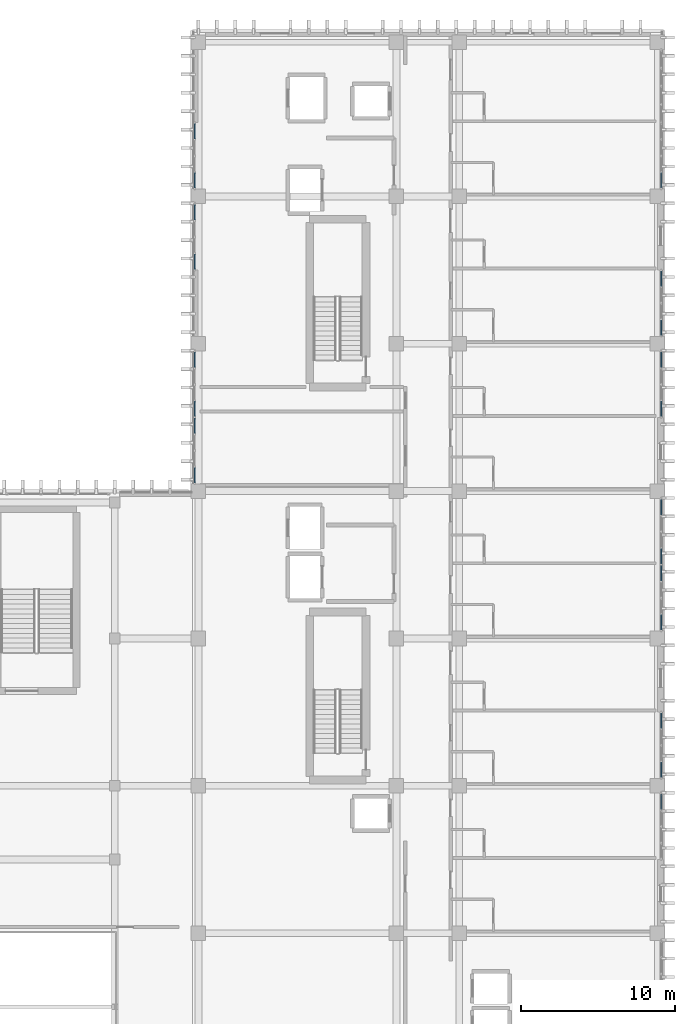
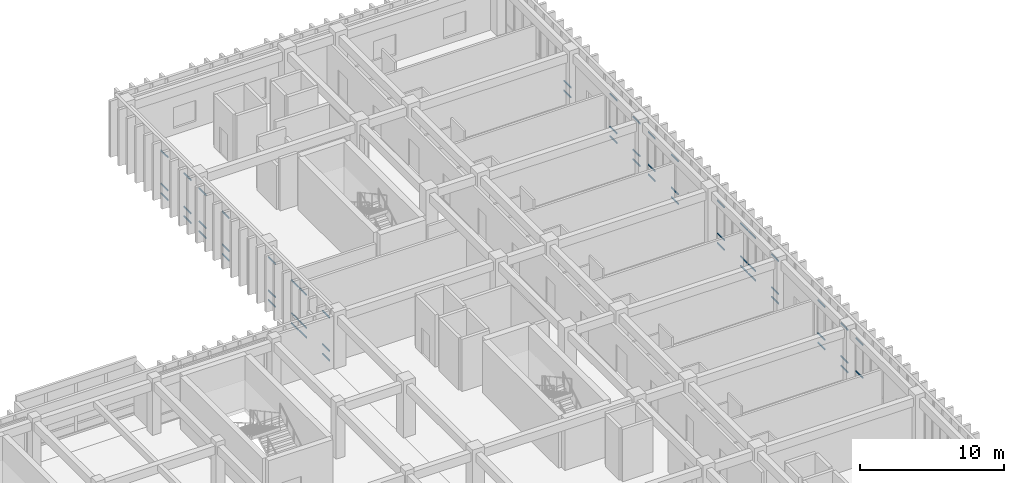
# One storey, part 86 of 133: 58 members, 11 elements without a shape of their own.
"""IFC4 building model written with IfcOpenShell, lengths in metres."""

from ifc_helpers import new_model, si_unit, direction, frame, origin, origin_2d, place, context, subcontext, project, spatial, hollow_rectangle, extrude, material, layer, layer_set, material_profile, profile_set, type_object, element, aggregate, save


model = new_model("IFC4")

# Units and contexts
model_context = context("Model", 3, precision=1e-05, world=origin(), true_north=direction((0.0, 1.0)))
body_context = subcontext(model_context, "Body", "Model", "MODEL_VIEW")
ifc_project = project(units=[si_unit("LENGTHUNIT", "METRE"), si_unit("AREAUNIT", "SQUARE_METRE"), si_unit("VOLUMEUNIT", "CUBIC_METRE"), si_unit("PLANEANGLEUNIT", "RADIAN"), si_unit("MASSUNIT", "GRAM", prefix="KILO")], contexts=[model_context])

# Site, building, storey
site_placement = place(None, origin())
site = spatial("IfcSite", under=ifc_project, at=site_placement, CompositionType="ELEMENT")
building_placement = place(site_placement, origin())
building = spatial("IfcBuilding", under=site, at=building_placement, Name="Nakhvara Creek Congress Hotel", CompositionType="ELEMENT")
storey_placement = place(building_placement, frame((0.0, 0.0, 11.39990234375)))
storey = spatial("IfcBuildingStorey", under=building, at=storey_placement, Name="L02", CompositionType="ELEMENT", Elevation=11.39990234375)

# Curtain wall, members
ifc_material_1 = material(Name="Bronze-anodised aluminium AW-6063-T6 and double-silver low-E glass", Category="aluminium")
ifc_layer = layer(ifc_material_1, 0.199951171875)
ifc_layer_set = layer_set([ifc_layer], Name="Bronze-anodised aluminium AW-6063-T6 and double-silver low-E glass")
curtain_wall_type = type_object("IfcCurtainWallType", Name="CW-HTL-UNIT", PredefinedType="USERDEFINED", material=ifc_layer_set)
curtain_wall_1_placement = place(storey_placement, origin())
curtain_wall_1 = element("IfcCurtainWall", 1, at=curtain_wall_1_placement, inside=storey, type_object=curtain_wall_type, Name="Curtain Wall CW138", ObjectType="UNITISED", PredefinedType="USERDEFINED")
ifc_material_2 = material(Name="Bronze-anodised aluminium AW-6063-T6", Category="aluminium")
ifc_material_profile = material_profile(ifc_material_2, hollow_rectangle(XDim=0.06494140625, YDim=0.1201171875, WallThickness=0.00390625, at=origin_2d()), Name="ALU-TRAN 65x120x4", Category="LoadBearing")
ifc_profile_set = profile_set([ifc_material_profile], Name="Bronze-anodised aluminium AW-6063-T6")
member_type = type_object("IfcMemberType", Name="CW-TRAN-120", PredefinedType="USERDEFINED", material=ifc_profile_set)
member_1_placement = place(storey_placement, frame((179.60009765625, 76.2451171875, 0.85009765625), z_axis=(0.0, -1.0, 0.0), x_axis=(1.0, 0.0, 0.0)))
member_1 = element("IfcMember", 2, at=member_1_placement, type_object=member_type, Name="CW138 transom 1.2", ObjectType="TRANSOM", PredefinedType="USERDEFINED", context=body_context, shape_type="SweptSolid", body=[
    extrude(hollow_rectangle(XDim=0.06494140625, YDim=0.1201171875, WallThickness=0.00390625, at=origin_2d()), origin(), (0.0, 0.0, 1.0), 0.980224609375),
])
member_2_placement = place(storey_placement, frame((179.60009765625, 76.2451171875, 3.629638671875), z_axis=(0.0, -1.0, 0.0), x_axis=(1.0, 0.0, 0.0)))
member_2 = element("IfcMember", 3, at=member_2_placement, type_object=member_type, Name="CW138 transom 1.3", ObjectType="TRANSOM", PredefinedType="USERDEFINED", context=body_context, shape_type="SweptSolid", body=[
    extrude(hollow_rectangle(XDim=0.06494140625, YDim=0.1201171875, WallThickness=0.00390625, at=origin_2d()), origin(), (0.0, 0.0, 1.0), 0.980224609375),
])
aggregate(curtain_wall_1, [member_1, member_2])

curtain_wall_2_placement = place(storey_placement, origin())
curtain_wall_2 = element("IfcCurtainWall", 4, at=curtain_wall_2_placement, inside=storey, type_object=curtain_wall_type, Name="Curtain Wall CW139", ObjectType="UNITISED", PredefinedType="USERDEFINED")
member_3_placement = place(storey_placement, frame((179.60009765625, 81.534912109375, 0.03271484375), z_axis=(0.0, -1.0, 0.0), x_axis=(1.0, 0.0, 0.0)))
member_3 = element("IfcMember", 5, at=member_3_placement, type_object=member_type, Name="CW139 transom 1.1", ObjectType="TRANSOM", PredefinedType="USERDEFINED", context=body_context, shape_type="SweptSolid", body=[
    extrude(hollow_rectangle(XDim=0.06494140625, YDim=0.1201171875, WallThickness=0.00390625, at=origin_2d()), origin(), (0.0, 0.0, 1.0), 0.97998046875),
])
member_4_placement = place(storey_placement, frame((179.60009765625, 81.534912109375, 0.85009765625), z_axis=(0.0, -1.0, 0.0), x_axis=(1.0, 0.0, 0.0)))
member_4 = element("IfcMember", 6, at=member_4_placement, type_object=member_type, Name="CW139 transom 1.2", ObjectType="TRANSOM", PredefinedType="USERDEFINED", context=body_context, shape_type="SweptSolid", body=[
    extrude(hollow_rectangle(XDim=0.06494140625, YDim=0.1201171875, WallThickness=0.00390625, at=origin_2d()), origin(), (0.0, 0.0, 1.0), 0.97998046875),
])
member_5_placement = place(storey_placement, frame((179.60009765625, 81.534912109375, 3.629638671875), z_axis=(0.0, -1.0, 0.0), x_axis=(1.0, 0.0, 0.0)))
member_5 = element("IfcMember", 7, at=member_5_placement, type_object=member_type, Name="CW139 transom 1.3", ObjectType="TRANSOM", PredefinedType="USERDEFINED", context=body_context, shape_type="SweptSolid", body=[
    extrude(hollow_rectangle(XDim=0.06494140625, YDim=0.1201171875, WallThickness=0.00390625, at=origin_2d()), origin(), (0.0, 0.0, 1.0), 0.97998046875),
])
member_6_placement = place(storey_placement, frame((179.60009765625, 78.3349609375, 0.03271484375), z_axis=(0.0, -1.0, 0.0), x_axis=(1.0, 0.0, 0.0)))
member_6 = element("IfcMember", 8, at=member_6_placement, type_object=member_type, Name="CW139 transom 4.1", ObjectType="TRANSOM", PredefinedType="USERDEFINED", context=body_context, shape_type="SweptSolid", body=[
    extrude(hollow_rectangle(XDim=0.06494140625, YDim=0.1201171875, WallThickness=0.00390625, at=origin_2d()), origin(), (0.0, 0.0, 1.0), 0.97998046875),
])
member_7_placement = place(storey_placement, frame((179.60009765625, 78.3349609375, 0.85009765625), z_axis=(0.0, -1.0, 0.0), x_axis=(1.0, 0.0, 0.0)))
member_7 = element("IfcMember", 9, at=member_7_placement, type_object=member_type, Name="CW139 transom 4.2", ObjectType="TRANSOM", PredefinedType="USERDEFINED", context=body_context, shape_type="SweptSolid", body=[
    extrude(hollow_rectangle(XDim=0.06494140625, YDim=0.1201171875, WallThickness=0.00390625, at=origin_2d()), origin(), (0.0, 0.0, 1.0), 0.97998046875),
])
member_8_placement = place(storey_placement, frame((179.60009765625, 78.3349609375, 3.629638671875), z_axis=(0.0, -1.0, 0.0), x_axis=(1.0, 0.0, 0.0)))
member_8 = element("IfcMember", 10, at=member_8_placement, type_object=member_type, Name="CW139 transom 4.3", ObjectType="TRANSOM", PredefinedType="USERDEFINED", context=body_context, shape_type="SweptSolid", body=[
    extrude(hollow_rectangle(XDim=0.06494140625, YDim=0.1201171875, WallThickness=0.00390625, at=origin_2d()), origin(), (0.0, 0.0, 1.0), 0.97998046875),
])
aggregate(curtain_wall_2, [member_3, member_4, member_5, member_6, member_7, member_8])

curtain_wall_3_placement = place(storey_placement, origin())
curtain_wall_3 = element("IfcCurtainWall", 11, at=curtain_wall_3_placement, inside=storey, type_object=curtain_wall_type, Name="Curtain Wall CW140", ObjectType="UNITISED", PredefinedType="USERDEFINED")
member_9_placement = place(storey_placement, frame((179.60009765625, 91.135009765625, 0.03271484375), z_axis=(0.0, -1.0, 0.0), x_axis=(1.0, 0.0, 0.0)))
member_9 = element("IfcMember", 12, at=member_9_placement, type_object=member_type, Name="CW140 transom 1.1", ObjectType="TRANSOM", PredefinedType="USERDEFINED", context=body_context, shape_type="SweptSolid", body=[
    extrude(hollow_rectangle(XDim=0.06494140625, YDim=0.1201171875, WallThickness=0.00390625, at=origin_2d()), origin(), (0.0, 0.0, 1.0), 0.97998046875),
])
member_10_placement = place(storey_placement, frame((179.60009765625, 91.135009765625, 0.85009765625), z_axis=(0.0, -1.0, 0.0), x_axis=(1.0, 0.0, 0.0)))
member_10 = element("IfcMember", 13, at=member_10_placement, type_object=member_type, Name="CW140 transom 1.2", ObjectType="TRANSOM", PredefinedType="USERDEFINED", context=body_context, shape_type="SweptSolid", body=[
    extrude(hollow_rectangle(XDim=0.06494140625, YDim=0.1201171875, WallThickness=0.00390625, at=origin_2d()), origin(), (0.0, 0.0, 1.0), 0.97998046875),
])
member_11_placement = place(storey_placement, frame((179.60009765625, 91.135009765625, 3.629638671875), z_axis=(0.0, -1.0, 0.0), x_axis=(1.0, 0.0, 0.0)))
member_11 = element("IfcMember", 14, at=member_11_placement, type_object=member_type, Name="CW140 transom 1.3", ObjectType="TRANSOM", PredefinedType="USERDEFINED", context=body_context, shape_type="SweptSolid", body=[
    extrude(hollow_rectangle(XDim=0.06494140625, YDim=0.1201171875, WallThickness=0.00390625, at=origin_2d()), origin(), (0.0, 0.0, 1.0), 0.97998046875),
])
member_12_placement = place(storey_placement, frame((179.60009765625, 87.93505859375, 0.03271484375), z_axis=(0.0, -1.0, 0.0), x_axis=(1.0, 0.0, 0.0)))
member_12 = element("IfcMember", 15, at=member_12_placement, type_object=member_type, Name="CW140 transom 4.1", ObjectType="TRANSOM", PredefinedType="USERDEFINED", context=body_context, shape_type="SweptSolid", body=[
    extrude(hollow_rectangle(XDim=0.06494140625, YDim=0.1201171875, WallThickness=0.00390625, at=origin_2d()), origin(), (0.0, 0.0, 1.0), 0.97998046875),
])
member_13_placement = place(storey_placement, frame((179.60009765625, 87.93505859375, 0.85009765625), z_axis=(0.0, -1.0, 0.0), x_axis=(1.0, 0.0, 0.0)))
member_13 = element("IfcMember", 16, at=member_13_placement, type_object=member_type, Name="CW140 transom 4.2", ObjectType="TRANSOM", PredefinedType="USERDEFINED", context=body_context, shape_type="SweptSolid", body=[
    extrude(hollow_rectangle(XDim=0.06494140625, YDim=0.1201171875, WallThickness=0.00390625, at=origin_2d()), origin(), (0.0, 0.0, 1.0), 0.97998046875),
])
member_14_placement = place(storey_placement, frame((179.60009765625, 87.93505859375, 3.629638671875), z_axis=(0.0, -1.0, 0.0), x_axis=(1.0, 0.0, 0.0)))
member_14 = element("IfcMember", 17, at=member_14_placement, type_object=member_type, Name="CW140 transom 4.3", ObjectType="TRANSOM", PredefinedType="USERDEFINED", context=body_context, shape_type="SweptSolid", body=[
    extrude(hollow_rectangle(XDim=0.06494140625, YDim=0.1201171875, WallThickness=0.00390625, at=origin_2d()), origin(), (0.0, 0.0, 1.0), 0.97998046875),
])
aggregate(curtain_wall_3, [member_9, member_10, member_11, member_12, member_13, member_14])

curtain_wall_4_placement = place(storey_placement, origin())
curtain_wall_4 = element("IfcCurtainWall", 18, at=curtain_wall_4_placement, inside=storey, type_object=curtain_wall_type, Name="Curtain Wall CW141", ObjectType="UNITISED", PredefinedType="USERDEFINED")
member_15_placement = place(storey_placement, frame((179.60009765625, 95.445068359375, 0.03271484375), z_axis=(0.0, -1.0, 0.0), x_axis=(1.0, 0.0, 0.0)))
member_15 = element("IfcMember", 19, at=member_15_placement, type_object=member_type, Name="CW141 transom 1.1", ObjectType="TRANSOM", PredefinedType="USERDEFINED", context=body_context, shape_type="SweptSolid", body=[
    extrude(hollow_rectangle(XDim=0.06494140625, YDim=0.1201171875, WallThickness=0.00390625, at=origin_2d()), origin(), (0.0, 0.0, 1.0), 0.97998046875),
])
member_16_placement = place(storey_placement, frame((179.60009765625, 95.445068359375, 0.85009765625), z_axis=(0.0, -1.0, 0.0), x_axis=(1.0, 0.0, 0.0)))
member_16 = element("IfcMember", 20, at=member_16_placement, type_object=member_type, Name="CW141 transom 1.2", ObjectType="TRANSOM", PredefinedType="USERDEFINED", context=body_context, shape_type="SweptSolid", body=[
    extrude(hollow_rectangle(XDim=0.06494140625, YDim=0.1201171875, WallThickness=0.00390625, at=origin_2d()), origin(), (0.0, 0.0, 1.0), 0.97998046875),
])
member_17_placement = place(storey_placement, frame((179.60009765625, 95.445068359375, 3.629638671875), z_axis=(0.0, -1.0, 0.0), x_axis=(1.0, 0.0, 0.0)))
member_17 = element("IfcMember", 21, at=member_17_placement, type_object=member_type, Name="CW141 transom 1.3", ObjectType="TRANSOM", PredefinedType="USERDEFINED", context=body_context, shape_type="SweptSolid", body=[
    extrude(hollow_rectangle(XDim=0.06494140625, YDim=0.1201171875, WallThickness=0.00390625, at=origin_2d()), origin(), (0.0, 0.0, 1.0), 0.97998046875),
])
member_18_placement = place(storey_placement, frame((179.60009765625, 92.2451171875, 0.03271484375), z_axis=(0.0, -1.0, 0.0), x_axis=(1.0, 0.0, 0.0)))
member_18 = element("IfcMember", 22, at=member_18_placement, type_object=member_type, Name="CW141 transom 4.1", ObjectType="TRANSOM", PredefinedType="USERDEFINED", context=body_context, shape_type="SweptSolid", body=[
    extrude(hollow_rectangle(XDim=0.06494140625, YDim=0.1201171875, WallThickness=0.00390625, at=origin_2d()), origin(), (0.0, 0.0, 1.0), 0.980224609375),
])
member_19_placement = place(storey_placement, frame((179.60009765625, 92.2451171875, 0.85009765625), z_axis=(0.0, -1.0, 0.0), x_axis=(1.0, 0.0, 0.0)))
member_19 = element("IfcMember", 23, at=member_19_placement, type_object=member_type, Name="CW141 transom 4.2", ObjectType="TRANSOM", PredefinedType="USERDEFINED", context=body_context, shape_type="SweptSolid", body=[
    extrude(hollow_rectangle(XDim=0.06494140625, YDim=0.1201171875, WallThickness=0.00390625, at=origin_2d()), origin(), (0.0, 0.0, 1.0), 0.980224609375),
])
member_20_placement = place(storey_placement, frame((179.60009765625, 92.2451171875, 3.629638671875), z_axis=(0.0, -1.0, 0.0), x_axis=(1.0, 0.0, 0.0)))
member_20 = element("IfcMember", 24, at=member_20_placement, type_object=member_type, Name="CW141 transom 4.3", ObjectType="TRANSOM", PredefinedType="USERDEFINED", context=body_context, shape_type="SweptSolid", body=[
    extrude(hollow_rectangle(XDim=0.06494140625, YDim=0.1201171875, WallThickness=0.00390625, at=origin_2d()), origin(), (0.0, 0.0, 1.0), 0.980224609375),
])
aggregate(curtain_wall_4, [member_15, member_16, member_17, member_18, member_19, member_20])

curtain_wall_5_placement = place(storey_placement, origin())
curtain_wall_5 = element("IfcCurtainWall", 25, at=curtain_wall_5_placement, inside=storey, type_object=curtain_wall_type, Name="Curtain Wall CW142", ObjectType="UNITISED", PredefinedType="USERDEFINED")
member_21_placement = place(storey_placement, frame((149.199951171875, 96.554931640625, 0.03271484375), z_axis=(0.0, 1.0, 0.0), x_axis=(-1.0, 0.0, 0.0)))
member_21 = element("IfcMember", 26, at=member_21_placement, type_object=member_type, Name="CW142 transom 1.1", ObjectType="TRANSOM", PredefinedType="USERDEFINED", context=body_context, shape_type="SweptSolid", body=[
    extrude(hollow_rectangle(XDim=0.06494140625, YDim=0.1201171875, WallThickness=0.00390625, at=origin_2d()), origin(), (0.0, 0.0, 1.0), 0.97998046875),
])
member_22_placement = place(storey_placement, frame((149.199951171875, 96.554931640625, 0.85009765625), z_axis=(0.0, 1.0, 0.0), x_axis=(-1.0, 0.0, 0.0)))
member_22 = element("IfcMember", 27, at=member_22_placement, type_object=member_type, Name="CW142 transom 1.2", ObjectType="TRANSOM", PredefinedType="USERDEFINED", context=body_context, shape_type="SweptSolid", body=[
    extrude(hollow_rectangle(XDim=0.06494140625, YDim=0.1201171875, WallThickness=0.00390625, at=origin_2d()), origin(), (0.0, 0.0, 1.0), 0.97998046875),
])
member_23_placement = place(storey_placement, frame((149.199951171875, 96.554931640625, 3.65966796875), z_axis=(0.0, 1.0, 0.0), x_axis=(-1.0, 0.0, 0.0)))
member_23 = element("IfcMember", 28, at=member_23_placement, type_object=member_type, Name="CW142 transom 1.3", ObjectType="TRANSOM", PredefinedType="USERDEFINED", context=body_context, shape_type="SweptSolid", body=[
    extrude(hollow_rectangle(XDim=0.06494140625, YDim=0.1201171875, WallThickness=0.00390625, at=origin_2d()), origin(), (0.0, 0.0, 1.0), 0.97998046875),
])
member_24_placement = place(storey_placement, frame((149.199951171875, 99.7548828125, 0.03271484375), z_axis=(0.0, 1.0, 0.0), x_axis=(-1.0, 0.0, 0.0)))
member_24 = element("IfcMember", 29, at=member_24_placement, type_object=member_type, Name="CW142 transom 4.1", ObjectType="TRANSOM", PredefinedType="USERDEFINED", context=body_context, shape_type="SweptSolid", body=[
    extrude(hollow_rectangle(XDim=0.06494140625, YDim=0.1201171875, WallThickness=0.00390625, at=origin_2d()), origin(), (0.0, 0.0, 1.0), 0.980224609375),
])
member_25_placement = place(storey_placement, frame((149.199951171875, 99.7548828125, 0.85009765625), z_axis=(0.0, 1.0, 0.0), x_axis=(-1.0, 0.0, 0.0)))
member_25 = element("IfcMember", 30, at=member_25_placement, type_object=member_type, Name="CW142 transom 4.2", ObjectType="TRANSOM", PredefinedType="USERDEFINED", context=body_context, shape_type="SweptSolid", body=[
    extrude(hollow_rectangle(XDim=0.06494140625, YDim=0.1201171875, WallThickness=0.00390625, at=origin_2d()), origin(), (0.0, 0.0, 1.0), 0.980224609375),
])
member_26_placement = place(storey_placement, frame((149.199951171875, 99.7548828125, 3.65966796875), z_axis=(0.0, 1.0, 0.0), x_axis=(-1.0, 0.0, 0.0)))
member_26 = element("IfcMember", 31, at=member_26_placement, type_object=member_type, Name="CW142 transom 4.3", ObjectType="TRANSOM", PredefinedType="USERDEFINED", context=body_context, shape_type="SweptSolid", body=[
    extrude(hollow_rectangle(XDim=0.06494140625, YDim=0.1201171875, WallThickness=0.00390625, at=origin_2d()), origin(), (0.0, 0.0, 1.0), 0.980224609375),
])
aggregate(curtain_wall_5, [member_21, member_22, member_23, member_24, member_25, member_26])

curtain_wall_6_placement = place(storey_placement, origin())
curtain_wall_6 = element("IfcCurtainWall", 32, at=curtain_wall_6_placement, inside=storey, type_object=curtain_wall_type, Name="Curtain Wall CW143", ObjectType="UNITISED", PredefinedType="USERDEFINED")
member_27_placement = place(storey_placement, frame((179.60009765625, 105.044921875, 0.03271484375), z_axis=(0.0, -1.0, 0.0), x_axis=(1.0, 0.0, 0.0)))
member_27 = element("IfcMember", 33, at=member_27_placement, type_object=member_type, Name="CW143 transom 1.1", ObjectType="TRANSOM", PredefinedType="USERDEFINED", context=body_context, shape_type="SweptSolid", body=[
    extrude(hollow_rectangle(XDim=0.06494140625, YDim=0.1201171875, WallThickness=0.00390625, at=origin_2d()), origin(), (0.0, 0.0, 1.0), 0.97998046875),
])
member_28_placement = place(storey_placement, frame((179.60009765625, 105.044921875, 0.85009765625), z_axis=(0.0, -1.0, 0.0), x_axis=(1.0, 0.0, 0.0)))
member_28 = element("IfcMember", 34, at=member_28_placement, type_object=member_type, Name="CW143 transom 1.2", ObjectType="TRANSOM", PredefinedType="USERDEFINED", context=body_context, shape_type="SweptSolid", body=[
    extrude(hollow_rectangle(XDim=0.06494140625, YDim=0.1201171875, WallThickness=0.00390625, at=origin_2d()), origin(), (0.0, 0.0, 1.0), 0.97998046875),
])
member_29_placement = place(storey_placement, frame((179.60009765625, 105.044921875, 3.629638671875), z_axis=(0.0, -1.0, 0.0), x_axis=(1.0, 0.0, 0.0)))
member_29 = element("IfcMember", 35, at=member_29_placement, type_object=member_type, Name="CW143 transom 1.3", ObjectType="TRANSOM", PredefinedType="USERDEFINED", context=body_context, shape_type="SweptSolid", body=[
    extrude(hollow_rectangle(XDim=0.06494140625, YDim=0.1201171875, WallThickness=0.00390625, at=origin_2d()), origin(), (0.0, 0.0, 1.0), 0.97998046875),
])
member_30_placement = place(storey_placement, frame((179.60009765625, 101.844970703125, 0.03271484375), z_axis=(0.0, -1.0, 0.0), x_axis=(1.0, 0.0, 0.0)))
member_30 = element("IfcMember", 36, at=member_30_placement, type_object=member_type, Name="CW143 transom 4.1", ObjectType="TRANSOM", PredefinedType="USERDEFINED", context=body_context, shape_type="SweptSolid", body=[
    extrude(hollow_rectangle(XDim=0.06494140625, YDim=0.1201171875, WallThickness=0.00390625, at=origin_2d()), origin(), (0.0, 0.0, 1.0), 0.97998046875),
])
member_31_placement = place(storey_placement, frame((179.60009765625, 101.844970703125, 0.85009765625), z_axis=(0.0, -1.0, 0.0), x_axis=(1.0, 0.0, 0.0)))
member_31 = element("IfcMember", 37, at=member_31_placement, type_object=member_type, Name="CW143 transom 4.2", ObjectType="TRANSOM", PredefinedType="USERDEFINED", context=body_context, shape_type="SweptSolid", body=[
    extrude(hollow_rectangle(XDim=0.06494140625, YDim=0.1201171875, WallThickness=0.00390625, at=origin_2d()), origin(), (0.0, 0.0, 1.0), 0.97998046875),
])
member_32_placement = place(storey_placement, frame((179.60009765625, 101.844970703125, 3.629638671875), z_axis=(0.0, -1.0, 0.0), x_axis=(1.0, 0.0, 0.0)))
member_32 = element("IfcMember", 38, at=member_32_placement, type_object=member_type, Name="CW143 transom 4.3", ObjectType="TRANSOM", PredefinedType="USERDEFINED", context=body_context, shape_type="SweptSolid", body=[
    extrude(hollow_rectangle(XDim=0.06494140625, YDim=0.1201171875, WallThickness=0.00390625, at=origin_2d()), origin(), (0.0, 0.0, 1.0), 0.97998046875),
])
aggregate(curtain_wall_6, [member_27, member_28, member_29, member_30, member_31, member_32])

curtain_wall_7_placement = place(storey_placement, origin())
curtain_wall_7 = element("IfcCurtainWall", 39, at=curtain_wall_7_placement, inside=storey, type_object=curtain_wall_type, Name="Curtain Wall CW144", ObjectType="UNITISED", PredefinedType="USERDEFINED")
member_33_placement = place(storey_placement, frame((149.199951171875, 100.864990234375, 0.03271484375), z_axis=(0.0, 1.0, 0.0), x_axis=(-1.0, 0.0, 0.0)))
member_33 = element("IfcMember", 40, at=member_33_placement, type_object=member_type, Name="CW144 transom 1.1", ObjectType="TRANSOM", PredefinedType="USERDEFINED", context=body_context, shape_type="SweptSolid", body=[
    extrude(hollow_rectangle(XDim=0.06494140625, YDim=0.1201171875, WallThickness=0.00390625, at=origin_2d()), origin(), (0.0, 0.0, 1.0), 0.97998046875),
])
member_34_placement = place(storey_placement, frame((149.199951171875, 100.864990234375, 0.85009765625), z_axis=(0.0, 1.0, 0.0), x_axis=(-1.0, 0.0, 0.0)))
member_34 = element("IfcMember", 41, at=member_34_placement, type_object=member_type, Name="CW144 transom 1.2", ObjectType="TRANSOM", PredefinedType="USERDEFINED", context=body_context, shape_type="SweptSolid", body=[
    extrude(hollow_rectangle(XDim=0.06494140625, YDim=0.1201171875, WallThickness=0.00390625, at=origin_2d()), origin(), (0.0, 0.0, 1.0), 0.97998046875),
])
member_35_placement = place(storey_placement, frame((149.199951171875, 100.864990234375, 3.65966796875), z_axis=(0.0, 1.0, 0.0), x_axis=(-1.0, 0.0, 0.0)))
member_35 = element("IfcMember", 42, at=member_35_placement, type_object=member_type, Name="CW144 transom 1.3", ObjectType="TRANSOM", PredefinedType="USERDEFINED", context=body_context, shape_type="SweptSolid", body=[
    extrude(hollow_rectangle(XDim=0.06494140625, YDim=0.1201171875, WallThickness=0.00390625, at=origin_2d()), origin(), (0.0, 0.0, 1.0), 0.97998046875),
])
member_36_placement = place(storey_placement, frame((149.199951171875, 104.06494140625, 0.03271484375), z_axis=(0.0, 1.0, 0.0), x_axis=(-1.0, 0.0, 0.0)))
member_36 = element("IfcMember", 43, at=member_36_placement, type_object=member_type, Name="CW144 transom 4.1", ObjectType="TRANSOM", PredefinedType="USERDEFINED", context=body_context, shape_type="SweptSolid", body=[
    extrude(hollow_rectangle(XDim=0.06494140625, YDim=0.1201171875, WallThickness=0.00390625, at=origin_2d()), origin(), (0.0, 0.0, 1.0), 0.97998046875),
])
member_37_placement = place(storey_placement, frame((149.199951171875, 104.06494140625, 0.85009765625), z_axis=(0.0, 1.0, 0.0), x_axis=(-1.0, 0.0, 0.0)))
member_37 = element("IfcMember", 44, at=member_37_placement, type_object=member_type, Name="CW144 transom 4.2", ObjectType="TRANSOM", PredefinedType="USERDEFINED", context=body_context, shape_type="SweptSolid", body=[
    extrude(hollow_rectangle(XDim=0.06494140625, YDim=0.1201171875, WallThickness=0.00390625, at=origin_2d()), origin(), (0.0, 0.0, 1.0), 0.97998046875),
])
member_38_placement = place(storey_placement, frame((149.199951171875, 104.06494140625, 3.65966796875), z_axis=(0.0, 1.0, 0.0), x_axis=(-1.0, 0.0, 0.0)))
member_38 = element("IfcMember", 45, at=member_38_placement, type_object=member_type, Name="CW144 transom 4.3", ObjectType="TRANSOM", PredefinedType="USERDEFINED", context=body_context, shape_type="SweptSolid", body=[
    extrude(hollow_rectangle(XDim=0.06494140625, YDim=0.1201171875, WallThickness=0.00390625, at=origin_2d()), origin(), (0.0, 0.0, 1.0), 0.97998046875),
])
aggregate(curtain_wall_7, [member_33, member_34, member_35, member_36, member_37, member_38])

curtain_wall_8_placement = place(storey_placement, origin())
curtain_wall_8 = element("IfcCurtainWall", 46, at=curtain_wall_8_placement, inside=storey, type_object=curtain_wall_type, Name="Curtain Wall CW145", ObjectType="UNITISED", PredefinedType="USERDEFINED")
member_39_placement = place(storey_placement, frame((179.60009765625, 110.3349609375, 0.03271484375), z_axis=(0.0, -1.0, 0.0), x_axis=(1.0, 0.0, 0.0)))
member_39 = element("IfcMember", 47, at=member_39_placement, type_object=member_type, Name="CW145 transom 1.1", ObjectType="TRANSOM", PredefinedType="USERDEFINED", context=body_context, shape_type="SweptSolid", body=[
    extrude(hollow_rectangle(XDim=0.06494140625, YDim=0.1201171875, WallThickness=0.00390625, at=origin_2d()), origin(), (0.0, 0.0, 1.0), 0.97998046875),
])
member_40_placement = place(storey_placement, frame((179.60009765625, 110.3349609375, 0.85009765625), z_axis=(0.0, -1.0, 0.0), x_axis=(1.0, 0.0, 0.0)))
member_40 = element("IfcMember", 48, at=member_40_placement, type_object=member_type, Name="CW145 transom 1.2", ObjectType="TRANSOM", PredefinedType="USERDEFINED", context=body_context, shape_type="SweptSolid", body=[
    extrude(hollow_rectangle(XDim=0.06494140625, YDim=0.1201171875, WallThickness=0.00390625, at=origin_2d()), origin(), (0.0, 0.0, 1.0), 0.97998046875),
])
member_41_placement = place(storey_placement, frame((179.60009765625, 110.3349609375, 3.629638671875), z_axis=(0.0, -1.0, 0.0), x_axis=(1.0, 0.0, 0.0)))
member_41 = element("IfcMember", 49, at=member_41_placement, type_object=member_type, Name="CW145 transom 1.3", ObjectType="TRANSOM", PredefinedType="USERDEFINED", context=body_context, shape_type="SweptSolid", body=[
    extrude(hollow_rectangle(XDim=0.06494140625, YDim=0.1201171875, WallThickness=0.00390625, at=origin_2d()), origin(), (0.0, 0.0, 1.0), 0.97998046875),
])
member_42_placement = place(storey_placement, frame((179.60009765625, 107.135009765625, 0.03271484375), z_axis=(0.0, -1.0, 0.0), x_axis=(1.0, 0.0, 0.0)))
member_42 = element("IfcMember", 50, at=member_42_placement, type_object=member_type, Name="CW145 transom 4.1", ObjectType="TRANSOM", PredefinedType="USERDEFINED", context=body_context, shape_type="SweptSolid", body=[
    extrude(hollow_rectangle(XDim=0.06494140625, YDim=0.1201171875, WallThickness=0.00390625, at=origin_2d()), origin(), (0.0, 0.0, 1.0), 0.97998046875),
])
member_43_placement = place(storey_placement, frame((179.60009765625, 107.135009765625, 0.85009765625), z_axis=(0.0, -1.0, 0.0), x_axis=(1.0, 0.0, 0.0)))
member_43 = element("IfcMember", 51, at=member_43_placement, type_object=member_type, Name="CW145 transom 4.2", ObjectType="TRANSOM", PredefinedType="USERDEFINED", context=body_context, shape_type="SweptSolid", body=[
    extrude(hollow_rectangle(XDim=0.06494140625, YDim=0.1201171875, WallThickness=0.00390625, at=origin_2d()), origin(), (0.0, 0.0, 1.0), 0.97998046875),
])
member_44_placement = place(storey_placement, frame((179.60009765625, 107.135009765625, 3.629638671875), z_axis=(0.0, -1.0, 0.0), x_axis=(1.0, 0.0, 0.0)))
member_44 = element("IfcMember", 52, at=member_44_placement, type_object=member_type, Name="CW145 transom 4.3", ObjectType="TRANSOM", PredefinedType="USERDEFINED", context=body_context, shape_type="SweptSolid", body=[
    extrude(hollow_rectangle(XDim=0.06494140625, YDim=0.1201171875, WallThickness=0.00390625, at=origin_2d()), origin(), (0.0, 0.0, 1.0), 0.97998046875),
])
aggregate(curtain_wall_8, [member_39, member_40, member_41, member_42, member_43, member_44])

curtain_wall_9_placement = place(storey_placement, origin())
curtain_wall_9 = element("IfcCurtainWall", 53, at=curtain_wall_9_placement, inside=storey, type_object=curtain_wall_type, Name="Curtain Wall CW146", ObjectType="UNITISED", PredefinedType="USERDEFINED")
member_45_placement = place(storey_placement, frame((149.199951171875, 110.465087890625, 0.03271484375), z_axis=(0.0, 1.0, 0.0), x_axis=(-1.0, 0.0, 0.0)))
member_45 = element("IfcMember", 54, at=member_45_placement, type_object=member_type, Name="CW146 transom 1.1", ObjectType="TRANSOM", PredefinedType="USERDEFINED", context=body_context, shape_type="SweptSolid", body=[
    extrude(hollow_rectangle(XDim=0.06494140625, YDim=0.1201171875, WallThickness=0.00390625, at=origin_2d()), origin(), (0.0, 0.0, 1.0), 0.97998046875),
])
member_46_placement = place(storey_placement, frame((149.199951171875, 110.465087890625, 0.85009765625), z_axis=(0.0, 1.0, 0.0), x_axis=(-1.0, 0.0, 0.0)))
member_46 = element("IfcMember", 55, at=member_46_placement, type_object=member_type, Name="CW146 transom 1.2", ObjectType="TRANSOM", PredefinedType="USERDEFINED", context=body_context, shape_type="SweptSolid", body=[
    extrude(hollow_rectangle(XDim=0.06494140625, YDim=0.1201171875, WallThickness=0.00390625, at=origin_2d()), origin(), (0.0, 0.0, 1.0), 0.97998046875),
])
member_47_placement = place(storey_placement, frame((149.199951171875, 110.465087890625, 3.65966796875), z_axis=(0.0, 1.0, 0.0), x_axis=(-1.0, 0.0, 0.0)))
member_47 = element("IfcMember", 56, at=member_47_placement, type_object=member_type, Name="CW146 transom 1.3", ObjectType="TRANSOM", PredefinedType="USERDEFINED", context=body_context, shape_type="SweptSolid", body=[
    extrude(hollow_rectangle(XDim=0.06494140625, YDim=0.1201171875, WallThickness=0.00390625, at=origin_2d()), origin(), (0.0, 0.0, 1.0), 0.97998046875),
])
member_48_placement = place(storey_placement, frame((149.199951171875, 113.6650390625, 0.03271484375), z_axis=(0.0, 1.0, 0.0), x_axis=(-1.0, 0.0, 0.0)))
member_48 = element("IfcMember", 57, at=member_48_placement, type_object=member_type, Name="CW146 transom 4.1", ObjectType="TRANSOM", PredefinedType="USERDEFINED", context=body_context, shape_type="SweptSolid", body=[
    extrude(hollow_rectangle(XDim=0.06494140625, YDim=0.1201171875, WallThickness=0.00390625, at=origin_2d()), origin(), (0.0, 0.0, 1.0), 0.97998046875),
])
member_49_placement = place(storey_placement, frame((149.199951171875, 113.6650390625, 0.85009765625), z_axis=(0.0, 1.0, 0.0), x_axis=(-1.0, 0.0, 0.0)))
member_49 = element("IfcMember", 58, at=member_49_placement, type_object=member_type, Name="CW146 transom 4.2", ObjectType="TRANSOM", PredefinedType="USERDEFINED", context=body_context, shape_type="SweptSolid", body=[
    extrude(hollow_rectangle(XDim=0.06494140625, YDim=0.1201171875, WallThickness=0.00390625, at=origin_2d()), origin(), (0.0, 0.0, 1.0), 0.97998046875),
])
member_50_placement = place(storey_placement, frame((149.199951171875, 113.6650390625, 3.65966796875), z_axis=(0.0, 1.0, 0.0), x_axis=(-1.0, 0.0, 0.0)))
member_50 = element("IfcMember", 59, at=member_50_placement, type_object=member_type, Name="CW146 transom 4.3", ObjectType="TRANSOM", PredefinedType="USERDEFINED", context=body_context, shape_type="SweptSolid", body=[
    extrude(hollow_rectangle(XDim=0.06494140625, YDim=0.1201171875, WallThickness=0.00390625, at=origin_2d()), origin(), (0.0, 0.0, 1.0), 0.97998046875),
])
aggregate(curtain_wall_9, [member_45, member_46, member_47, member_48, member_49, member_50])

curtain_wall_10_placement = place(storey_placement, origin())
curtain_wall_10 = element("IfcCurtainWall", 60, at=curtain_wall_10_placement, inside=storey, type_object=curtain_wall_type, Name="Curtain Wall CW147", ObjectType="UNITISED", PredefinedType="USERDEFINED")
member_51_placement = place(storey_placement, frame((179.60009765625, 116.735107421875, 0.03271484375), z_axis=(0.0, -1.0, 0.0), x_axis=(1.0, 0.0, 0.0)))
member_51 = element("IfcMember", 61, at=member_51_placement, type_object=member_type, Name="CW147 transom 4.1", ObjectType="TRANSOM", PredefinedType="USERDEFINED", context=body_context, shape_type="SweptSolid", body=[
    extrude(hollow_rectangle(XDim=0.06494140625, YDim=0.1201171875, WallThickness=0.00390625, at=origin_2d()), origin(), (0.0, 0.0, 1.0), 0.980224609375),
])
member_52_placement = place(storey_placement, frame((179.60009765625, 116.735107421875, 0.85009765625), z_axis=(0.0, -1.0, 0.0), x_axis=(1.0, 0.0, 0.0)))
member_52 = element("IfcMember", 62, at=member_52_placement, type_object=member_type, Name="CW147 transom 4.2", ObjectType="TRANSOM", PredefinedType="USERDEFINED", context=body_context, shape_type="SweptSolid", body=[
    extrude(hollow_rectangle(XDim=0.06494140625, YDim=0.1201171875, WallThickness=0.00390625, at=origin_2d()), origin(), (0.0, 0.0, 1.0), 0.980224609375),
])
aggregate(curtain_wall_10, [member_51, member_52])

curtain_wall_11_placement = place(storey_placement, origin())
curtain_wall_11 = element("IfcCurtainWall", 63, at=curtain_wall_11_placement, inside=storey, type_object=curtain_wall_type, Name="Curtain Wall CW148", ObjectType="UNITISED", PredefinedType="USERDEFINED")
member_53_placement = place(storey_placement, frame((149.199951171875, 115.7548828125, 0.03271484375), z_axis=(0.0, 1.0, 0.0), x_axis=(-1.0, 0.0, 0.0)))
member_53 = element("IfcMember", 64, at=member_53_placement, type_object=member_type, Name="CW148 transom 1.1", ObjectType="TRANSOM", PredefinedType="USERDEFINED", context=body_context, shape_type="SweptSolid", body=[
    extrude(hollow_rectangle(XDim=0.06494140625, YDim=0.1201171875, WallThickness=0.00390625, at=origin_2d()), origin(), (0.0, 0.0, 1.0), 0.980224609375),
])
member_54_placement = place(storey_placement, frame((149.199951171875, 115.7548828125, 0.85009765625), z_axis=(0.0, 1.0, 0.0), x_axis=(-1.0, 0.0, 0.0)))
member_54 = element("IfcMember", 65, at=member_54_placement, type_object=member_type, Name="CW148 transom 1.2", ObjectType="TRANSOM", PredefinedType="USERDEFINED", context=body_context, shape_type="SweptSolid", body=[
    extrude(hollow_rectangle(XDim=0.06494140625, YDim=0.1201171875, WallThickness=0.00390625, at=origin_2d()), origin(), (0.0, 0.0, 1.0), 0.980224609375),
])
member_55_placement = place(storey_placement, frame((149.199951171875, 115.7548828125, 3.65966796875), z_axis=(0.0, 1.0, 0.0), x_axis=(-1.0, 0.0, 0.0)))
member_55 = element("IfcMember", 66, at=member_55_placement, type_object=member_type, Name="CW148 transom 1.3", ObjectType="TRANSOM", PredefinedType="USERDEFINED", context=body_context, shape_type="SweptSolid", body=[
    extrude(hollow_rectangle(XDim=0.06494140625, YDim=0.1201171875, WallThickness=0.00390625, at=origin_2d()), origin(), (0.0, 0.0, 1.0), 0.980224609375),
])
member_56_placement = place(storey_placement, frame((149.199951171875, 118.955078125, 0.03271484375), z_axis=(0.0, 1.0, 0.0), x_axis=(-1.0, 0.0, 0.0)))
member_56 = element("IfcMember", 67, at=member_56_placement, type_object=member_type, Name="CW148 transom 4.1", ObjectType="TRANSOM", PredefinedType="USERDEFINED", context=body_context, shape_type="SweptSolid", body=[
    extrude(hollow_rectangle(XDim=0.06494140625, YDim=0.1201171875, WallThickness=0.00390625, at=origin_2d()), origin(), (0.0, 0.0, 1.0), 0.97998046875),
])
member_57_placement = place(storey_placement, frame((149.199951171875, 118.955078125, 0.85009765625), z_axis=(0.0, 1.0, 0.0), x_axis=(-1.0, 0.0, 0.0)))
member_57 = element("IfcMember", 68, at=member_57_placement, type_object=member_type, Name="CW148 transom 4.2", ObjectType="TRANSOM", PredefinedType="USERDEFINED", context=body_context, shape_type="SweptSolid", body=[
    extrude(hollow_rectangle(XDim=0.06494140625, YDim=0.1201171875, WallThickness=0.00390625, at=origin_2d()), origin(), (0.0, 0.0, 1.0), 0.97998046875),
])
member_58_placement = place(storey_placement, frame((149.199951171875, 118.955078125, 3.65966796875), z_axis=(0.0, 1.0, 0.0), x_axis=(-1.0, 0.0, 0.0)))
member_58 = element("IfcMember", 69, at=member_58_placement, type_object=member_type, Name="CW148 transom 4.3", ObjectType="TRANSOM", PredefinedType="USERDEFINED", context=body_context, shape_type="SweptSolid", body=[
    extrude(hollow_rectangle(XDim=0.06494140625, YDim=0.1201171875, WallThickness=0.00390625, at=origin_2d()), origin(), (0.0, 0.0, 1.0), 0.97998046875),
])
aggregate(curtain_wall_11, [member_53, member_54, member_55, member_56, member_57, member_58])

save(model, "model.ifc")
